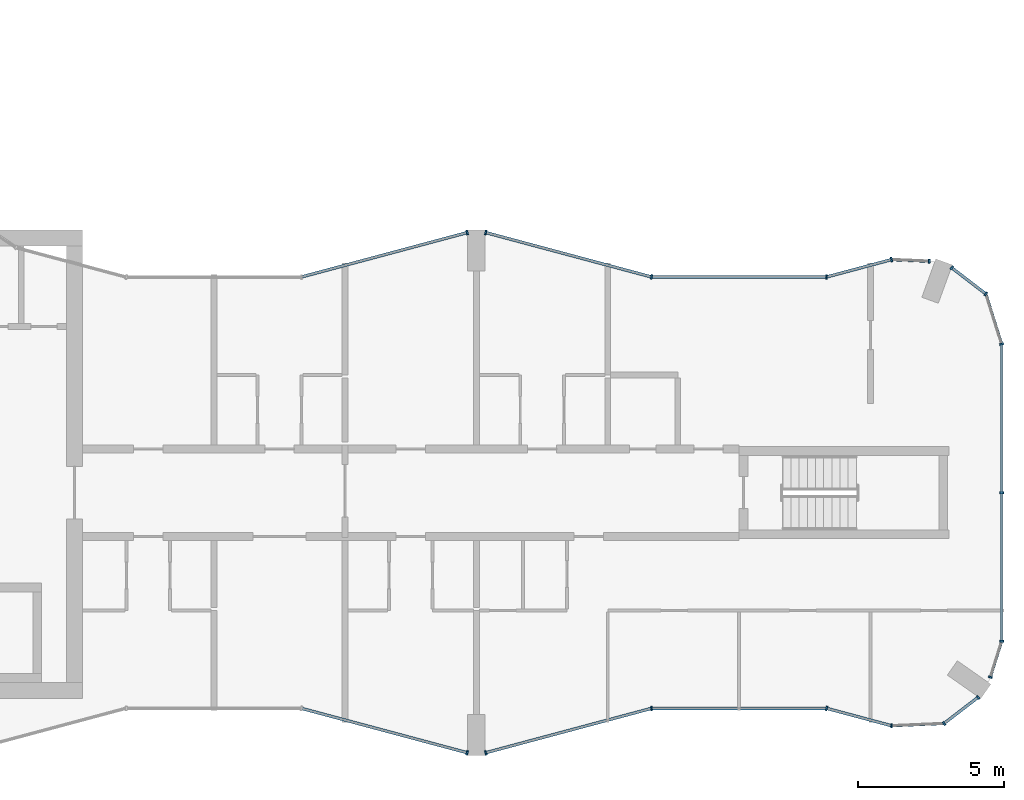
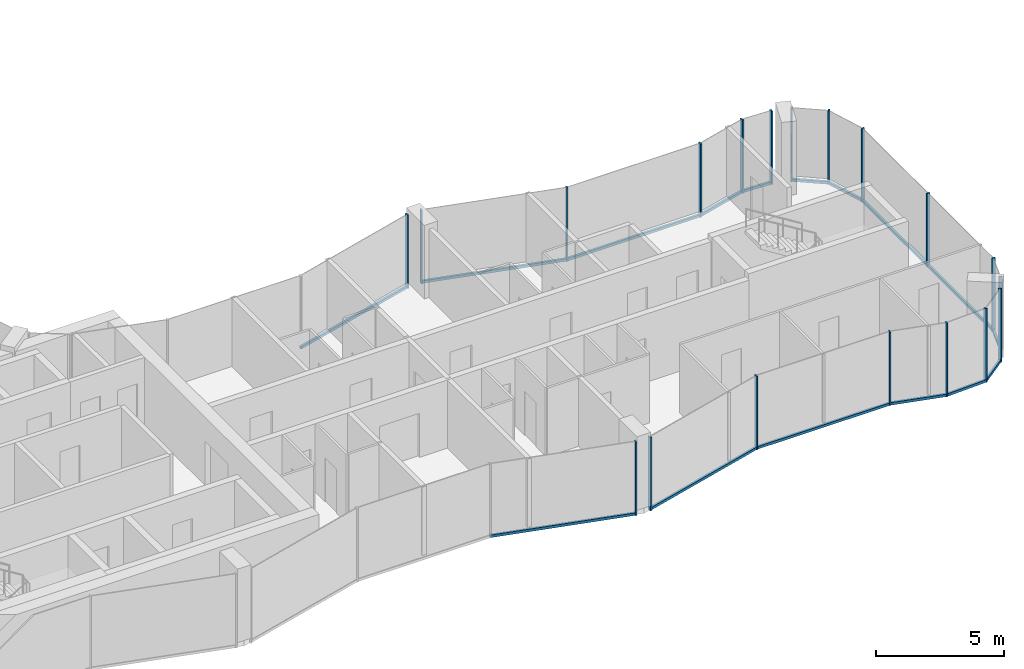
# One storey, part 6 of 15: 34 members, 15 elements without a shape of their own.
"""IFC4 building model written with IfcOpenShell, lengths in metres."""

from ifc_helpers import new_model, si_unit, direction, frame, origin, origin_2d, place, context, subcontext, project, spatial, rectangle, extrude, material, layer, layer_set, material_profile, profile_set, type_object, element, aggregate, save


model = new_model("IFC4")

# Units and contexts
model_context = context("Model", 3, precision=1e-05, world=origin(), true_north=direction((0.0, 1.0)))
body_context = subcontext(model_context, "Body", "Model", "MODEL_VIEW")
ifc_project = project(units=[si_unit("LENGTHUNIT", "METRE"), si_unit("AREAUNIT", "SQUARE_METRE"), si_unit("VOLUMEUNIT", "CUBIC_METRE"), si_unit("PLANEANGLEUNIT", "RADIAN"), si_unit("MASSUNIT", "GRAM", prefix="KILO")], contexts=[model_context])

# Site, building, storey
site_placement = place(None, origin())
site = spatial("IfcSite", under=ifc_project, at=site_placement, CompositionType="ELEMENT")
building_placement = place(site_placement, origin())
building = spatial("IfcBuilding", under=site, at=building_placement, Name="Plateau Cross Towers", CompositionType="ELEMENT")
storey_placement = place(building_placement, frame((0.0, 0.0, 194.39990234375)))
storey = spatial("IfcBuildingStorey", under=building, at=storey_placement, Name="L50", CompositionType="ELEMENT", Elevation=194.39990234375)

# Curtain wall, member
ifc_material_1 = material(Name="Dark low-iron glass", Category="glass")
ifc_layer_1 = layer(ifc_material_1, 0.239990234375)
ifc_layer_set_1 = layer_set([ifc_layer_1], Name="Dark low-iron glass")
curtain_wall_type_1 = type_object("IfcCurtainWallType", Name="Curtain wall flush unitised CW-B", PredefinedType="NOTDEFINED", material=ifc_layer_set_1)
curtain_wall_1_placement = place(storey_placement, origin())
curtain_wall_1 = element("IfcCurtainWall", 1, at=curtain_wall_1_placement, inside=storey, type_object=curtain_wall_type_1, Name="ENV/A/L50/A502_10", PredefinedType="NOTDEFINED")
ifc_material_2 = material(Name="Black anodised aluminium", Category="aluminium")
ifc_material_profile_1 = material_profile(ifc_material_2, rectangle(XDim=0.06005859375, YDim=0.139892578125, at=origin_2d()), Name="MULLION 60x140")
ifc_profile_set_1 = profile_set([ifc_material_profile_1], Name="Black anodised aluminium")
member_type_1 = type_object("IfcMemberType", Name="Mullion 60x140 flush unitised", PredefinedType="MULLION", material=ifc_profile_set_1)
member_1_placement = place(storey_placement, frame((50.223876953125, 1.01123046875, -0.25), z_axis=(0.0, 0.0, 1.0), x_axis=(0.999043701491, 0.043722791671, 0.0)))
member_1 = element("IfcMember", 2, at=member_1_placement, type_object=member_type_1, Name="CW-B mullion 1", PredefinedType="MULLION", context=body_context, shape_type="SweptSolid", body=[
    extrude(rectangle(XDim=0.06005859375, YDim=0.139892578125, at=origin_2d()), origin(), (0.0, 0.0, 1.0), 3.5),
])

# Curtain wall, members
curtain_wall_2_placement = place(storey_placement, origin())
curtain_wall_2 = element("IfcCurtainWall", 3, at=curtain_wall_2_placement, inside=storey, type_object=curtain_wall_type_1, Name="ENV/A/L50/A520_11", PredefinedType="NOTDEFINED")
member_2_placement = place(storey_placement, frame((52.0263671875, 1.090087890625, -0.25), z_axis=(0.0, 0.0, 1.0), x_axis=(0.793315514529, 0.608810721331, 0.0)))
member_2 = element("IfcMember", 4, at=member_2_placement, type_object=member_type_1, Name="CW-B mullion 1", PredefinedType="MULLION", context=body_context, shape_type="SweptSolid", body=[
    extrude(rectangle(XDim=0.06005859375, YDim=0.139892578125, at=origin_2d()), origin(), (0.0, 0.0, 1.0), 3.5),
])
member_3_placement = place(storey_placement, frame((53.193603515625, 1.986083984375, -0.25), z_axis=(0.0, 0.0, 1.0), x_axis=(0.793315514529, 0.608810721331, 0.0)))
member_3 = element("IfcMember", 5, at=member_3_placement, type_object=member_type_1, Name="CW-B mullion 2", PredefinedType="MULLION", context=body_context, shape_type="SweptSolid", body=[
    extrude(rectangle(XDim=0.06005859375, YDim=0.139892578125, at=origin_2d()), origin(), (0.0, 0.0, 1.0), 3.5),
])

# Curtain wall, member
curtain_wall_3_placement = place(storey_placement, origin())
curtain_wall_3 = element("IfcCurtainWall", 6, at=curtain_wall_3_placement, inside=storey, type_object=curtain_wall_type_1, Name="ENV/A/L50/A536_27", PredefinedType="NOTDEFINED")
member_4_placement = place(storey_placement, frame((53.611083984375, 2.67529296875, -0.25), z_axis=(0.0, 0.0, 1.0), x_axis=(0.300686174994, 0.95372313811, 0.0)))
member_4 = element("IfcMember", 7, at=member_4_placement, type_object=member_type_1, Name="CW-B mullion 1", PredefinedType="MULLION", context=body_context, shape_type="SweptSolid", body=[
    extrude(rectangle(XDim=0.06005859375, YDim=0.139892578125, at=origin_2d()), origin(), (0.0, 0.0, 1.0), 3.5),
])

# Curtain wall, members
curtain_wall_4_placement = place(storey_placement, origin())
curtain_wall_4 = element("IfcCurtainWall", 8, at=curtain_wall_4_placement, inside=storey, type_object=curtain_wall_type_1, Name="ENV/A/L50/A540_39", PredefinedType="NOTDEFINED")
member_5_placement = place(storey_placement, frame((54.0, 3.9091796875, -0.25), z_axis=(0.0, 0.0, 1.0), x_axis=(0.0, 1.0, 0.0)))
member_5 = element("IfcMember", 9, at=member_5_placement, type_object=member_type_1, Name="CW-B mullion 1", PredefinedType="MULLION", context=body_context, shape_type="SweptSolid", body=[
    extrude(rectangle(XDim=0.06005859375, YDim=0.139892578125, at=origin_2d()), origin(), (0.0, 0.0, 1.0), 3.5),
])
member_6_placement = place(storey_placement, frame((54.0, 9.0, -0.25), z_axis=(0.0, 0.0, 1.0), x_axis=(0.0, 1.0, 0.0)))
member_6 = element("IfcMember", 10, at=member_6_placement, type_object=member_type_1, Name="CW-B mullion 2", PredefinedType="MULLION", context=body_context, shape_type="SweptSolid", body=[
    extrude(rectangle(XDim=0.06005859375, YDim=0.139892578125, at=origin_2d()), origin(), (0.0, 0.0, 1.0), 3.5),
])

# Curtain wall, member
curtain_wall_5_placement = place(storey_placement, origin())
curtain_wall_5 = element("IfcCurtainWall", 11, at=curtain_wall_5_placement, inside=storey, type_object=curtain_wall_type_1, Name="ENV/A/L50/A540_141", PredefinedType="NOTDEFINED")
member_7_placement = place(storey_placement, frame((54.0, 14.0908203125, -0.25), z_axis=(0.0, 0.0, 1.0), x_axis=(-0.300686174994, 0.95372313811, 0.0)))
member_7 = element("IfcMember", 12, at=member_7_placement, type_object=member_type_1, Name="CW-B mullion 1", PredefinedType="MULLION", context=body_context, shape_type="SweptSolid", body=[
    extrude(rectangle(XDim=0.06005859375, YDim=0.139892578125, at=origin_2d()), origin(), (0.0, 0.0, 1.0), 3.5),
])

# Curtain wall, members
curtain_wall_6_placement = place(storey_placement, origin())
curtain_wall_6 = element("IfcCurtainWall", 13, at=curtain_wall_6_placement, inside=storey, type_object=curtain_wall_type_1, Name="ENV/A/L50/A535_158", PredefinedType="NOTDEFINED")
member_8_placement = place(storey_placement, frame((53.45751953125, 15.8115234375, -0.25), z_axis=(0.0, 0.0, 1.0), x_axis=(-0.793315514529, 0.608810721331, 0.0)))
member_8 = element("IfcMember", 14, at=member_8_placement, type_object=member_type_1, Name="CW-B mullion 1", PredefinedType="MULLION", context=body_context, shape_type="SweptSolid", body=[
    extrude(rectangle(XDim=0.06005859375, YDim=0.139892578125, at=origin_2d()), origin(), (0.0, 0.0, 1.0), 3.5),
])
member_9_placement = place(storey_placement, frame((52.290283203125, 16.707275390625, -0.25), z_axis=(0.0, 0.0, 1.0), x_axis=(-0.793315514529, 0.608810721331, 0.0)))
member_9 = element("IfcMember", 15, at=member_9_placement, type_object=member_type_1, Name="CW-B mullion 2", PredefinedType="MULLION", context=body_context, shape_type="SweptSolid", body=[
    extrude(rectangle(XDim=0.06005859375, YDim=0.139892578125, at=origin_2d()), origin(), (0.0, 0.0, 1.0), 3.5),
])

# Curtain wall, member
curtain_wall_7_placement = place(storey_placement, origin())
curtain_wall_7 = element("IfcCurtainWall", 16, at=curtain_wall_7_placement, inside=storey, type_object=curtain_wall_type_1, Name="ENV/A/L50/A515_169", PredefinedType="NOTDEFINED")
member_10_placement = place(storey_placement, frame((51.516357421875, 16.93212890625, -0.25), z_axis=(0.0, 0.0, 1.0), x_axis=(-0.999043701491, 0.043722791671, 0.0)))
member_10 = element("IfcMember", 17, at=member_10_placement, type_object=member_type_1, Name="CW-B mullion 1", PredefinedType="MULLION", context=body_context, shape_type="SweptSolid", body=[
    extrude(rectangle(XDim=0.06005859375, YDim=0.139892578125, at=origin_2d()), origin(), (0.0, 0.0, 1.0), 3.5),
])

ifc_layer_2 = layer(ifc_material_1, 0.260009765625)
ifc_layer_set_2 = layer_set([ifc_layer_2], Name="Dark low-iron glass")
curtain_wall_type_2 = type_object("IfcCurtainWallType", Name="Curtain wall fluted unitised CW-A", PredefinedType="NOTDEFINED", material=ifc_layer_set_2)
curtain_wall_8_placement = place(storey_placement, origin())
curtain_wall_8 = element("IfcCurtainWall", 18, at=curtain_wall_8_placement, inside=storey, type_object=curtain_wall_type_2, Name="ENV/A/L50/A300_16", PredefinedType="NOTDEFINED")
ifc_material_profile_2 = material_profile(ifc_material_2, rectangle(XDim=0.06005859375, YDim=0.159912109375, at=origin_2d()), Name="MULLION 60x160")
ifc_profile_set_2 = profile_set([ifc_material_profile_2], Name="Black anodised aluminium")
member_type_2 = type_object("IfcMemberType", Name="Mullion 60x160 fluted unitised", PredefinedType="MULLION", material=ifc_profile_set_2)
member_11_placement = place(storey_placement, frame((35.68212890625, 0.085205078125, -0.25), z_axis=(0.0, 0.0, 1.0), x_axis=(0.965957983404, -0.258699003279, 0.0)))
member_11 = element("IfcMember", 19, at=member_11_placement, type_object=member_type_2, Name="CW-A mullion 2", PredefinedType="MULLION", context=body_context, shape_type="SweptSolid", body=[
    extrude(rectangle(XDim=0.06005859375, YDim=0.159912109375, at=origin_2d()), origin(), (0.0, 0.0, 1.0), 3.5),
])

curtain_wall_9_placement = place(storey_placement, origin())
curtain_wall_9 = element("IfcCurtainWall", 20, at=curtain_wall_9_placement, inside=storey, type_object=curtain_wall_type_2, Name="ENV/A/L50/A363_1", PredefinedType="NOTDEFINED")
member_12_placement = place(storey_placement, frame((36.31787109375, 0.085205078125, -0.25), z_axis=(0.0, 0.0, 1.0), x_axis=(0.965957983404, 0.258699003279, 0.0)))
member_12 = element("IfcMember", 21, at=member_12_placement, type_object=member_type_2, Name="CW-A mullion 1", PredefinedType="MULLION", context=body_context, shape_type="SweptSolid", body=[
    extrude(rectangle(XDim=0.06005859375, YDim=0.159912109375, at=origin_2d()), origin(), (0.0, 0.0, 1.0), 3.5),
])

curtain_wall_10_placement = place(storey_placement, origin())
curtain_wall_10 = element("IfcCurtainWall", 22, at=curtain_wall_10_placement, inside=storey, type_object=curtain_wall_type_2, Name="ENV/A/L50/A420_16", PredefinedType="NOTDEFINED")
member_13_placement = place(storey_placement, frame((42.0, 1.60693359375, -0.25), z_axis=(0.0, 0.0, 1.0), x_axis=(1.0, 0.0, 0.0)))
member_13 = element("IfcMember", 23, at=member_13_placement, type_object=member_type_2, Name="CW-A mullion 1", PredefinedType="MULLION", context=body_context, shape_type="SweptSolid", body=[
    extrude(rectangle(XDim=0.06005859375, YDim=0.159912109375, at=origin_2d()), origin(), (0.0, 0.0, 1.0), 3.5),
])

curtain_wall_11_placement = place(storey_placement, origin())
curtain_wall_11 = element("IfcCurtainWall", 24, at=curtain_wall_11_placement, inside=storey, type_object=curtain_wall_type_2, Name="ENV/A/L50/A480_16", PredefinedType="NOTDEFINED")
member_14_placement = place(storey_placement, frame((48.0, 1.60693359375, -0.25), z_axis=(0.0, 0.0, 1.0), x_axis=(0.965957962328, -0.258699081978, 0.0)))
member_14 = element("IfcMember", 25, at=member_14_placement, type_object=member_type_2, Name="CW-A mullion 1", PredefinedType="MULLION", context=body_context, shape_type="SweptSolid", body=[
    extrude(rectangle(XDim=0.06005859375, YDim=0.159912109375, at=origin_2d()), origin(), (0.0, 0.0, 1.0), 3.5),
])

curtain_wall_12_placement = place(storey_placement, origin())
curtain_wall_12 = element("IfcCurtainWall", 26, at=curtain_wall_12_placement, inside=storey, type_object=curtain_wall_type_2, Name="ENV/A/L50/A502_170", PredefinedType="NOTDEFINED")
member_15_placement = place(storey_placement, frame((50.223876953125, 16.98876953125, -0.25), z_axis=(0.0, 0.0, 1.0), x_axis=(-0.965957962328, -0.258699081978, 0.0)))
member_15 = element("IfcMember", 27, at=member_15_placement, type_object=member_type_2, Name="CW-A mullion 1", PredefinedType="MULLION", context=body_context, shape_type="SweptSolid", body=[
    extrude(rectangle(XDim=0.06005859375, YDim=0.159912109375, at=origin_2d()), origin(), (0.0, 0.0, 1.0), 3.5),
])

curtain_wall_13_placement = place(storey_placement, origin())
curtain_wall_13 = element("IfcCurtainWall", 28, at=curtain_wall_13_placement, inside=storey, type_object=curtain_wall_type_2, Name="ENV/A/L50/A480_164", PredefinedType="NOTDEFINED")
member_16_placement = place(storey_placement, frame((48.0, 16.39306640625, -0.25), z_axis=(0.0, 0.0, 1.0), x_axis=(-1.0, 0.0, 0.0)))
member_16 = element("IfcMember", 29, at=member_16_placement, type_object=member_type_2, Name="CW-A mullion 1", PredefinedType="MULLION", context=body_context, shape_type="SweptSolid", body=[
    extrude(rectangle(XDim=0.06005859375, YDim=0.159912109375, at=origin_2d()), origin(), (0.0, 0.0, 1.0), 3.5),
])

# Curtain wall, members
curtain_wall_14_placement = place(storey_placement, origin())
curtain_wall_14 = element("IfcCurtainWall", 30, at=curtain_wall_14_placement, inside=storey, type_object=curtain_wall_type_2, Name="ENV/A/L50/A420_164", PredefinedType="NOTDEFINED")
member_17_placement = place(storey_placement, frame((42.0, 16.39306640625, -0.25), z_axis=(0.0, 0.0, 1.0), x_axis=(-0.965957983404, 0.258699003279, 0.0)))
member_17 = element("IfcMember", 31, at=member_17_placement, type_object=member_type_2, Name="CW-A mullion 1", PredefinedType="MULLION", context=body_context, shape_type="SweptSolid", body=[
    extrude(rectangle(XDim=0.06005859375, YDim=0.159912109375, at=origin_2d()), origin(), (0.0, 0.0, 1.0), 3.5),
])
member_18_placement = place(storey_placement, frame((36.31787109375, 17.914794921875, -0.25), z_axis=(0.0, 0.0, 1.0), x_axis=(-0.965957983404, 0.258699003279, 0.0)))
member_18 = element("IfcMember", 32, at=member_18_placement, type_object=member_type_2, Name="CW-A mullion 2", PredefinedType="MULLION", context=body_context, shape_type="SweptSolid", body=[
    extrude(rectangle(XDim=0.06005859375, YDim=0.159912109375, at=origin_2d()), origin(), (0.0, 0.0, 1.0), 3.5),
])

# Curtain wall, member
curtain_wall_15_placement = place(storey_placement, origin())
curtain_wall_15 = element("IfcCurtainWall", 33, at=curtain_wall_15_placement, inside=storey, type_object=curtain_wall_type_2, Name="ENV/A/L50/A357_179", PredefinedType="NOTDEFINED")
member_19_placement = place(storey_placement, frame((35.68212890625, 17.914794921875, -0.25), z_axis=(0.0, 0.0, 1.0), x_axis=(-0.965957983404, -0.258699003279, 0.0)))
member_19 = element("IfcMember", 34, at=member_19_placement, type_object=member_type_2, Name="CW-A mullion 1", PredefinedType="MULLION", context=body_context, shape_type="SweptSolid", body=[
    extrude(rectangle(XDim=0.06005859375, YDim=0.159912109375, at=origin_2d()), origin(), (0.0, 0.0, 1.0), 3.5),
])

# Member
ifc_material_profile_3 = material_profile(ifc_material_2, rectangle(XDim=0.10009765625, YDim=0.1201171875, at=origin_2d()), Name="TRANSOM 100x120")
ifc_profile_set_3 = profile_set([ifc_material_profile_3], Name="Black anodised aluminium")
member_type_3 = type_object("IfcMemberType", Name="Transom 100x120 flush unitised", PredefinedType="USERDEFINED", material=ifc_profile_set_3)
member_20_placement = place(storey_placement, frame((50.223876953125, 1.01123046875, -0.18994140625), z_axis=(0.999044377355, 0.043707345779, 0.0), x_axis=(-0.043707345779, 0.999044377355, 0.0)))
member_20 = element("IfcMember", 35, at=member_20_placement, type_object=member_type_3, Name="CW-B transom", ObjectType="TRANSOM", PredefinedType="USERDEFINED", context=body_context, shape_type="SweptSolid", body=[
    extrude(rectangle(XDim=0.10009765625, YDim=0.1201171875, at=origin_2d()), origin(), (0.0, 0.0, 1.0), 1.80419921875),
])

aggregate(curtain_wall_1, [member_1, member_20])

member_21_placement = place(storey_placement, frame((52.0263671875, 1.090087890625, -0.18994140625), z_axis=(0.793240368515, 0.608908628415, 0.0), x_axis=(-0.608908628415, 0.793240368515, 0.0)))
member_21 = element("IfcMember", 36, at=member_21_placement, type_object=member_type_3, Name="CW-B transom", ObjectType="TRANSOM", PredefinedType="USERDEFINED", context=body_context, shape_type="SweptSolid", body=[
    extrude(rectangle(XDim=0.10009765625, YDim=0.1201171875, at=origin_2d()), origin(), (0.0, 0.0, 1.0), 1.471435546875),
])

aggregate(curtain_wall_2, [member_2, member_3, member_21])

member_22_placement = place(storey_placement, frame((53.611083984375, 2.67529296875, -0.18994140625), z_axis=(0.300616528216, 0.953745093284, 0.0), x_axis=(-0.953745093284, 0.300616528216, 0.0)))
member_22 = element("IfcMember", 37, at=member_22_placement, type_object=member_type_3, Name="CW-B transom", ObjectType="TRANSOM", PredefinedType="USERDEFINED", context=body_context, shape_type="SweptSolid", body=[
    extrude(rectangle(XDim=0.10009765625, YDim=0.1201171875, at=origin_2d()), origin(), (0.0, 0.0, 1.0), 1.293701171875),
])

aggregate(curtain_wall_3, [member_4, member_22])

member_23_placement = place(storey_placement, frame((54.0, 3.9091796875, -0.18994140625), z_axis=(0.0, 1.0, 0.0), x_axis=(-1.0, 0.0, 0.0)))
member_23 = element("IfcMember", 38, at=member_23_placement, type_object=member_type_3, Name="CW-B transom", ObjectType="TRANSOM", PredefinedType="USERDEFINED", context=body_context, shape_type="SweptSolid", body=[
    extrude(rectangle(XDim=0.10009765625, YDim=0.1201171875, at=origin_2d()), origin(), (0.0, 0.0, 1.0), 10.181640625),
])

aggregate(curtain_wall_4, [member_5, member_6, member_23])

member_24_placement = place(storey_placement, frame((54.0, 14.0908203125, -0.18994140625), z_axis=(-0.30067799945, 0.953725715626, 0.0), x_axis=(-0.953725715626, -0.30067799945, 0.0)))
member_24 = element("IfcMember", 39, at=member_24_placement, type_object=member_type_3, Name="CW-B transom", ObjectType="TRANSOM", PredefinedType="USERDEFINED", context=body_context, shape_type="SweptSolid", body=[
    extrude(rectangle(XDim=0.10009765625, YDim=0.1201171875, at=origin_2d()), origin(), (0.0, 0.0, 1.0), 1.80419921875),
])

aggregate(curtain_wall_5, [member_7, member_24])

member_25_placement = place(storey_placement, frame((53.45751953125, 15.8115234375, -0.18994140625), z_axis=(-0.793320508571, 0.608804213751, 0.0), x_axis=(-0.608804213751, -0.793320508571, 0.0)))
member_25 = element("IfcMember", 40, at=member_25_placement, type_object=member_type_3, Name="CW-B transom", ObjectType="TRANSOM", PredefinedType="USERDEFINED", context=body_context, shape_type="SweptSolid", body=[
    extrude(rectangle(XDim=0.10009765625, YDim=0.1201171875, at=origin_2d()), origin(), (0.0, 0.0, 1.0), 1.471435546875),
])

aggregate(curtain_wall_6, [member_8, member_9, member_25])

member_26_placement = place(storey_placement, frame((51.516357421875, 16.93212890625, -0.18994140625), z_axis=(-0.999041144614, 0.043781175963, 0.0), x_axis=(-0.043781175963, -0.999041144614, 0.0)))
member_26 = element("IfcMember", 41, at=member_26_placement, type_object=member_type_3, Name="CW-B transom", ObjectType="TRANSOM", PredefinedType="USERDEFINED", context=body_context, shape_type="SweptSolid", body=[
    extrude(rectangle(XDim=0.10009765625, YDim=0.1201171875, at=origin_2d()), origin(), (0.0, 0.0, 1.0), 1.293701171875),
])

aggregate(curtain_wall_7, [member_10, member_26])

ifc_material_profile_4 = material_profile(ifc_material_2, rectangle(XDim=0.10009765625, YDim=0.1201171875, at=origin_2d()), Name="TRANSOM 100x120")
ifc_profile_set_4 = profile_set([ifc_material_profile_4], Name="Black anodised aluminium")
member_type_4 = type_object("IfcMemberType", Name="Transom 100x120 fluted unitised", PredefinedType="USERDEFINED", material=ifc_profile_set_4)
member_27_placement = place(storey_placement, frame((30.0, 1.60693359375, -0.18994140625), z_axis=(0.965959534794, -0.258693210465, 0.0), x_axis=(0.258693210465, 0.965959534794, 0.0)))
member_27 = element("IfcMember", 42, at=member_27_placement, type_object=member_type_4, Name="CW-A transom", ObjectType="TRANSOM", PredefinedType="USERDEFINED", context=body_context, shape_type="SweptSolid", body=[
    extrude(rectangle(XDim=0.10009765625, YDim=0.1201171875, at=origin_2d()), origin(), (0.0, 0.0, 1.0), 5.88232421875),
])

aggregate(curtain_wall_8, [member_11, member_27])

member_28_placement = place(storey_placement, frame((36.31787109375, 0.085205078125, -0.18994140625), z_axis=(0.965959534794, 0.258693210465, 0.0), x_axis=(-0.258693210465, 0.965959534794, 0.0)))
member_28 = element("IfcMember", 43, at=member_28_placement, type_object=member_type_4, Name="CW-A transom", ObjectType="TRANSOM", PredefinedType="USERDEFINED", context=body_context, shape_type="SweptSolid", body=[
    extrude(rectangle(XDim=0.10009765625, YDim=0.1201171875, at=origin_2d()), origin(), (0.0, 0.0, 1.0), 5.88232421875),
])

aggregate(curtain_wall_9, [member_12, member_28])

member_29_placement = place(storey_placement, frame((42.0, 1.60693359375, -0.18994140625), z_axis=(1.0, 0.0, 0.0), x_axis=(0.0, 1.0, 0.0)))
member_29 = element("IfcMember", 44, at=member_29_placement, type_object=member_type_4, Name="CW-A transom", ObjectType="TRANSOM", PredefinedType="USERDEFINED", context=body_context, shape_type="SweptSolid", body=[
    extrude(rectangle(XDim=0.10009765625, YDim=0.1201171875, at=origin_2d()), origin(), (0.0, 0.0, 1.0), 6.0),
])

aggregate(curtain_wall_10, [member_13, member_29])

member_30_placement = place(storey_placement, frame((48.0, 1.60693359375, -0.18994140625), z_axis=(0.965945685136, -0.258744919501, 0.0), x_axis=(0.258744919501, 0.965945685136, 0.0)))
member_30 = element("IfcMember", 45, at=member_30_placement, type_object=member_type_4, Name="CW-A transom", ObjectType="TRANSOM", PredefinedType="USERDEFINED", context=body_context, shape_type="SweptSolid", body=[
    extrude(rectangle(XDim=0.10009765625, YDim=0.1201171875, at=origin_2d()), origin(), (0.0, 0.0, 1.0), 2.30224609375),
])

aggregate(curtain_wall_11, [member_14, member_30])

member_31_placement = place(storey_placement, frame((50.223876953125, 16.98876953125, -0.18994140625), z_axis=(-0.965945685136, -0.258744919501, 0.0), x_axis=(0.258744919501, -0.965945685136, 0.0)))
member_31 = element("IfcMember", 46, at=member_31_placement, type_object=member_type_4, Name="CW-A transom", ObjectType="TRANSOM", PredefinedType="USERDEFINED", context=body_context, shape_type="SweptSolid", body=[
    extrude(rectangle(XDim=0.10009765625, YDim=0.1201171875, at=origin_2d()), origin(), (0.0, 0.0, 1.0), 2.30224609375),
])

aggregate(curtain_wall_12, [member_15, member_31])

member_32_placement = place(storey_placement, frame((48.0, 16.39306640625, -0.18994140625), z_axis=(-1.0, 0.0, 0.0), x_axis=(0.0, -1.0, 0.0)))
member_32 = element("IfcMember", 47, at=member_32_placement, type_object=member_type_4, Name="CW-A transom", ObjectType="TRANSOM", PredefinedType="USERDEFINED", context=body_context, shape_type="SweptSolid", body=[
    extrude(rectangle(XDim=0.10009765625, YDim=0.1201171875, at=origin_2d()), origin(), (0.0, 0.0, 1.0), 6.0),
])

aggregate(curtain_wall_13, [member_16, member_32])

member_33_placement = place(storey_placement, frame((42.0, 16.39306640625, -0.18994140625), z_axis=(-0.965959534794, 0.258693210465, 0.0), x_axis=(-0.258693210465, -0.965959534794, 0.0)))
member_33 = element("IfcMember", 48, at=member_33_placement, type_object=member_type_4, Name="CW-A transom", ObjectType="TRANSOM", PredefinedType="USERDEFINED", context=body_context, shape_type="SweptSolid", body=[
    extrude(rectangle(XDim=0.10009765625, YDim=0.1201171875, at=origin_2d()), origin(), (0.0, 0.0, 1.0), 5.88232421875),
])

aggregate(curtain_wall_14, [member_17, member_18, member_33])

member_34_placement = place(storey_placement, frame((35.68212890625, 17.914794921875, -0.18994140625), z_axis=(-0.965959534794, -0.258693210465, 0.0), x_axis=(0.258693210465, -0.965959534794, 0.0)))
member_34 = element("IfcMember", 49, at=member_34_placement, type_object=member_type_4, Name="CW-A transom", ObjectType="TRANSOM", PredefinedType="USERDEFINED", context=body_context, shape_type="SweptSolid", body=[
    extrude(rectangle(XDim=0.10009765625, YDim=0.1201171875, at=origin_2d()), origin(), (0.0, 0.0, 1.0), 5.88232421875),
])

aggregate(curtain_wall_15, [member_19, member_34])

save(model, "model.ifc")
